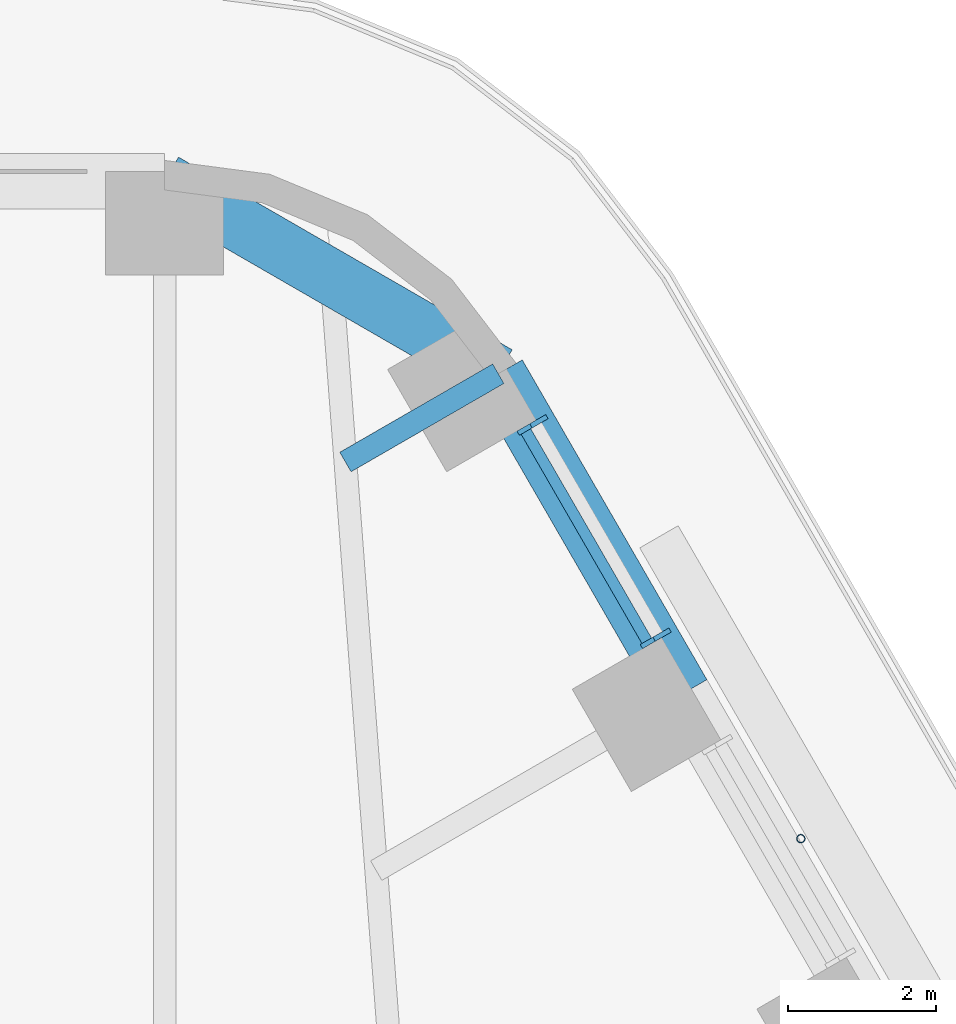
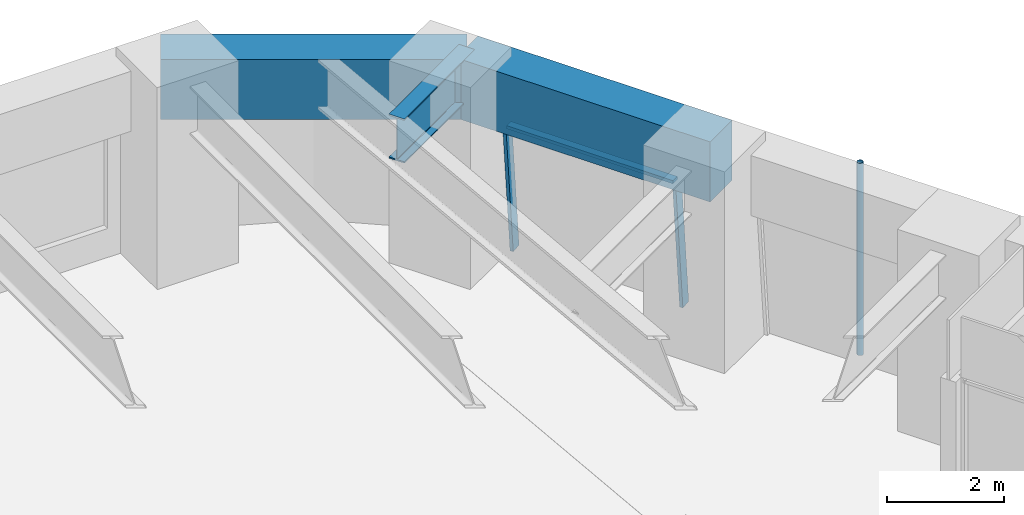
# One storey, part 13 of 24: 4 members, 3 beams, 1 element without a shape of its own.
"""IFC4 building model written with IfcOpenShell, lengths in metres."""

from ifc_helpers import new_model, si_unit, direction, frame, origin, origin_2d, place, context, subcontext, project, spatial, rectangle, hollow_circle, i_section, extrude, material, material_profile, profile_set, type_object, element, aggregate, save


model = new_model("IFC4")

# Units and contexts
model_context = context("Model", 3, precision=1e-05, world=origin(), true_north=direction((0.0, 1.0)))
body_context = subcontext(model_context, "Body", "Model", "MODEL_VIEW")
ifc_project = project(units=[si_unit("LENGTHUNIT", "METRE"), si_unit("AREAUNIT", "SQUARE_METRE"), si_unit("VOLUMEUNIT", "CUBIC_METRE"), si_unit("PLANEANGLEUNIT", "RADIAN"), si_unit("MASSUNIT", "GRAM", prefix="KILO")], contexts=[model_context])

# Site, building, storey
site_placement = place(None, origin())
site = spatial("IfcSite", under=ifc_project, at=site_placement, CompositionType="ELEMENT")
building_placement = place(site_placement, origin())
building = spatial("IfcBuilding", under=site, at=building_placement, Name="Tarfa Lantern Tower", CompositionType="ELEMENT")
storey_placement = place(building_placement, frame((0.0, 0.0, 161.5)))
storey = spatial("IfcBuildingStorey", under=building, at=storey_placement, Name="L36", CompositionType="ELEMENT", Elevation=161.5)

# Curtain wall, members
ifc_material_1 = material(Name="Aluminium framed curtain wall", Category="aluminium")
curtain_wall_type = type_object("IfcCurtainWallType", Name="CW2 CANTED GLAZING MID ZONE 2750", PredefinedType="USERDEFINED", material=ifc_material_1)
curtain_wall_placement = place(storey_placement, origin())
curtain_wall = element("IfcCurtainWall", 1, at=curtain_wall_placement, inside=storey, type_object=curtain_wall_type, Name="CW2 NEB L36", ObjectType="CURTAIN WALL", PredefinedType="USERDEFINED")
ifc_material_2 = material(Name="Aluminium mullion", Category="aluminium")
ifc_material_profile_1 = material_profile(ifc_material_2, rectangle(XDim=0.06494140625, YDim=0.199951171875, at=origin_2d()), Name="AL MULLION 65x200")
ifc_profile_set_1 = profile_set([ifc_material_profile_1], Name="Aluminium mullion")
member_type_1 = type_object("IfcMemberType", Name="CWM1 MULLION 65x200", PredefinedType="MULLION", material=ifc_profile_set_1)
member_1_placement = place(storey_placement, frame((21.773193359375, 25.087646484375, 0.0), z_axis=(-0.078422950161, -0.045267813396, 0.995891894715), x_axis=(0.499919672301, -0.866071776036, 0.0)))
member_1 = element("IfcMember", 2, at=member_1_placement, type_object=member_type_1, Name="CW2 mullion 1", PredefinedType="MULLION", context=body_context, shape_type="SweptSolid", body=[
    extrude(rectangle(XDim=0.06494140625, YDim=0.199951171875, at=origin_2d()), origin(), (0.0, 0.0, 1.0), 2.76123046875),
])
member_2_placement = place(storey_placement, frame((20.10400390625, 27.97900390625, 0.0), z_axis=(-0.078422950161, -0.045267813396, 0.995891894715), x_axis=(0.499919672301, -0.866071776036, 0.0)))
member_2 = element("IfcMember", 3, at=member_2_placement, type_object=member_type_1, Name="CW2 mullion 2", PredefinedType="MULLION", context=body_context, shape_type="SweptSolid", body=[
    extrude(rectangle(XDim=0.06494140625, YDim=0.199951171875, at=origin_2d()), origin(), (0.0, 0.0, 1.0), 2.76123046875),
])
ifc_material_3 = material(Name="Aluminium transom", Category="aluminium")
ifc_material_profile_2 = material_profile(ifc_material_3, rectangle(XDim=0.14990234375, YDim=0.06494140625, at=origin_2d()), Name="AL TRANSOM 150x65")
ifc_profile_set_2 = profile_set([ifc_material_profile_2], Name="Aluminium transom")
member_type_2 = type_object("IfcMemberType", Name="CWT1 TRANSOM 150x65", PredefinedType="USERDEFINED", material=ifc_profile_set_2)
member_3_placement = place(storey_placement, frame((21.54296875, 24.9921875, 2.717529296875), z_axis=(-0.499957005835, 0.866050225054, 0.0), x_axis=(-0.866050225054, -0.499957005835, 0.0)))
member_3 = element("IfcMember", 4, at=member_3_placement, type_object=member_type_2, Name="CW2 transom 1.2", ObjectType="TRANSOM", PredefinedType="USERDEFINED", context=body_context, shape_type="SweptSolid", body=[
    extrude(rectangle(XDim=0.14990234375, YDim=0.06494140625, at=origin_2d()), origin(), (0.0, 0.0, 1.0), 3.273681640625),
])
aggregate(curtain_wall, [member_1, member_2, member_3])

# Beams
ifc_material_4 = material(Name="Concrete C80/95", Category="concrete")
ifc_material_profile_3 = material_profile(ifc_material_4, rectangle(XDim=0.75, YDim=1.25, at=origin_2d()), Name="RC 750x1250")
ifc_profile_set_3 = profile_set([ifc_material_profile_3], Name="Concrete C80/95")
beam_type_1 = type_object("IfcBeamType", Name="EB2 RC 750x1250", PredefinedType="SPANDREL", material=ifc_profile_set_3)
beam_1_placement = place(storey_placement, frame((22.03369140625, 24.276611328125, 3.375), z_axis=(-0.500001197378, 0.866024712477, 0.0), x_axis=(-0.866024712477, -0.500001197378, 0.0)))
element("IfcBeam", 5, at=beam_1_placement, inside=storey, type_object=beam_type_1, Name="Edge beam NE5", PredefinedType="SPANDREL", context=body_context, shape_type="SweptSolid", body=[
    extrude(rectangle(XDim=0.75, YDim=1.25, at=origin_2d()), origin(), (0.0, 0.0, 1.0), 5.00390625),
])
beam_2_placement = place(storey_placement, frame((19.53173828125, 28.610107421875, 3.375), z_axis=(-0.86604150238, 0.499972115377, 0.0), x_axis=(-0.499972115377, -0.86604150238, 0.0)))
element("IfcBeam", 6, at=beam_2_placement, inside=storey, type_object=beam_type_1, Name="Edge beam NE6", PredefinedType="SPANDREL", context=body_context, shape_type="SweptSolid", body=[
    extrude(rectangle(XDim=0.75, YDim=1.25, at=origin_2d()), origin(), (0.0, 0.0, 1.0), 5.219970703125),
])

# Member
ifc_material_5 = material(Name="Steel S355", Category="steel")
ifc_material_profile_4 = material_profile(ifc_material_5, hollow_circle(Radius=0.05712890625, WallThickness=0.00634765625, at=origin_2d()), Name="CHS114.3x6.3")
ifc_profile_set_4 = profile_set([ifc_material_profile_4], Name="Steel S355")
member_type_3 = type_object("IfcMemberType", Name="TR1 GREEN WALL TRELLIS CHS114.3x6.3", PredefinedType="USERDEFINED", material=ifc_profile_set_4)
member_4_placement = place(storey_placement, frame((23.630859375, 22.31005859375, 0.0), z_axis=(0.0, 0.0, 1.0), x_axis=(1.0, 0.0, 0.0)))
element("IfcMember", 7, at=member_4_placement, inside=storey, type_object=member_type_3, Name="Trellis post NE 2", ObjectType="TRELLIS", PredefinedType="USERDEFINED", context=body_context, shape_type="SweptSolid", body=[
    extrude(hollow_circle(Radius=0.05712890625, WallThickness=0.00634765625, at=origin_2d()), origin(), (0.0, 0.0, 1.0), 4.0),
])

# Beam
ifc_material_6 = material(Name="Steel S460M", Category="steel")
ifc_material_profile_5 = material_profile(ifc_material_6, i_section(OverallWidth=0.305419921875, OverallDepth=0.91845703125, WebThickness=0.017333984375, FlangeThickness=0.02783203125, FilletRadius=0.01904296875, at=origin_2d()), Name="UB914x305x253")
ifc_profile_set_5 = profile_set([ifc_material_profile_5], Name="Steel S460M")
beam_type_2 = type_object("IfcBeamType", Name="UB914x305x253", PredefinedType="BEAM", material=ifc_profile_set_5)
beam_3_placement = place(storey_placement, frame((19.53173828125, 28.610107421875, 3.540771484375), z_axis=(-0.865998640954, -0.500046351717, 0.0), x_axis=(0.500046351717, -0.865998640954, 0.0)))
element("IfcBeam", 8, at=beam_3_placement, inside=storey, type_object=beam_type_2, Name="Floor beam NE6", PredefinedType="BEAM", context=body_context, shape_type="SweptSolid", body=[
    extrude(i_section(OverallWidth=0.305419921875, OverallDepth=0.91845703125, WebThickness=0.017333984375, FlangeThickness=0.02783203125, FilletRadius=0.01904296875, at=origin_2d()), origin(), (0.0, 0.0, 1.0), 2.392333984375),
])

save(model, "model.ifc")
